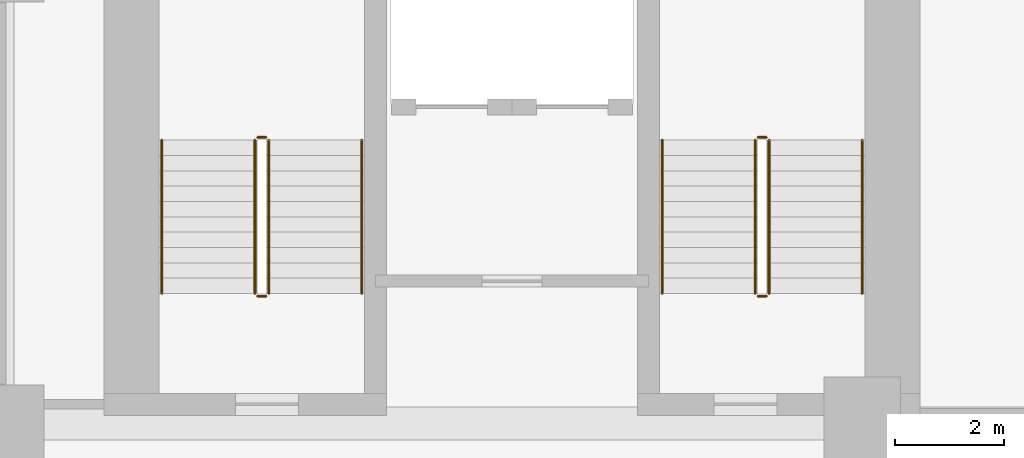
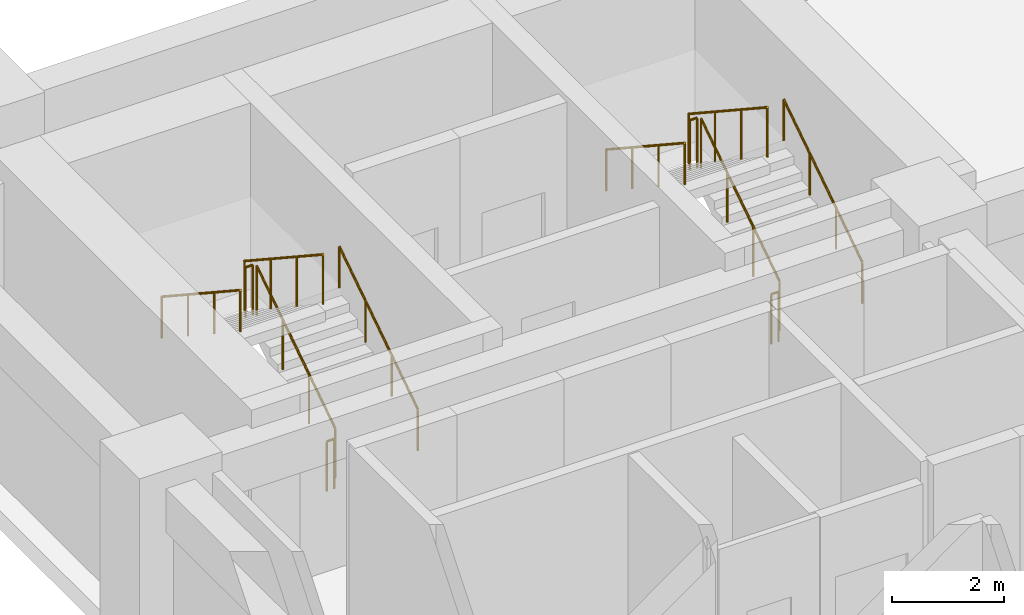
# One storey, part 9 of 11: 12 railings.
"""IFC4 building model written with IfcOpenShell, lengths in metres."""

from ifc_helpers import new_model, si_unit, direction, frame, origin, origin_2d, place, context, subcontext, project, spatial, circle, extrude, material, type_object, element, save


model = new_model("IFC4")

# Units and contexts
model_context = context("Model", 3, precision=1e-05, world=origin(), true_north=direction((0.0, 1.0)))
body_context = subcontext(model_context, "Body", "Model", "MODEL_VIEW")
ifc_project = project(units=[si_unit("LENGTHUNIT", "METRE"), si_unit("AREAUNIT", "SQUARE_METRE"), si_unit("VOLUMEUNIT", "CUBIC_METRE"), si_unit("PLANEANGLEUNIT", "RADIAN"), si_unit("MASSUNIT", "GRAM", prefix="KILO")], contexts=[model_context])

# Site, building, storey
site_placement = place(None, origin())
site = spatial("IfcSite", under=ifc_project, at=site_placement, CompositionType="ELEMENT")
building_placement = place(site_placement, origin())
building = spatial("IfcBuilding", under=site, at=building_placement, Name="Sulina Concourse Tower", CompositionType="ELEMENT")
storey_placement = place(building_placement, frame((0.0, 0.0, 9.449951171875)))
storey = spatial("IfcBuildingStorey", under=building, at=storey_placement, Name="L02", CompositionType="ELEMENT", Elevation=9.449951171875)

# Railings
ifc_material_1 = material(Name="Galvanised steel railing", Category="steel")
railing_type_1 = type_object("IfcRailingType", Name="Core Stair Steel Guardrail 1150mm", PredefinedType="GUARDRAIL", material=ifc_material_1)
railing_1_placement = place(storey_placement, frame((5.554931640625, 36.375, 0.18408203125)))
element("IfcRailing", 1, at=railing_1_placement, inside=storey, type_object=railing_type_1, Name="L02 ST-1 stair guard 1", PredefinedType="GUARDRAIL", context=body_context, shape_type="SweptSolid", body=[
    extrude(circle(Radius=0.02392578125, at=origin_2d()), frame((0.0, 0.0, 1.076171875), z_axis=(0.0, 0.83556406348, 0.549393024911), x_axis=(-1.0, 0.0, 0.0)), (0.0, 0.0, 1.0), 3.35107421875),
    extrude(circle(Radius=0.02099609375, at=origin_2d()), origin(), (0.0, 0.0, 1.0), 1.052001953125),
    extrude(circle(Radius=0.02099609375, at=origin_2d()), frame((0.0, 0.933349609375, 0.61376953125)), (0.0, 0.0, 1.0), 1.052001953125),
    extrude(circle(Radius=0.02099609375, at=origin_2d()), frame((0.0, 1.86669921875, 1.227294921875)), (0.0, 0.0, 1.0), 1.052001953125),
    extrude(circle(Radius=0.02099609375, at=origin_2d()), frame((0.0, 2.800048828125, 1.841064453125)), (0.0, 0.0, 1.0), 1.052001953125),
])
railing_2_placement = place(storey_placement, frame((5.5048828125, 39.22509765625, 2.025146484375)))
element("IfcRailing", 2, at=railing_2_placement, inside=storey, type_object=railing_type_1, Name="L02 ST-1 stair guard 2", PredefinedType="GUARDRAIL", context=body_context, shape_type="SweptSolid", body=[
    extrude(circle(Radius=0.02392578125, at=origin_2d()), frame((0.0, 0.0, 1.076171875), z_axis=(-1.0, 0.0, 0.0), x_axis=(0.0, -1.0, 0.0)), (0.0, 0.0, 1.0), 0.14990234375),
    extrude(circle(Radius=0.02099609375, at=origin_2d()), origin(), (0.0, 0.0, 1.0), 1.052001953125),
    extrude(circle(Radius=0.02099609375, at=origin_2d()), frame((-0.14990234375, 0.0, 0.0)), (0.0, 0.0, 1.0), 1.052001953125),
])
railing_3_placement = place(storey_placement, frame((5.304931640625, 39.175048828125, 2.209228515625)))
element("IfcRailing", 3, at=railing_3_placement, inside=storey, type_object=railing_type_1, Name="L02 ST-1 stair guard 3", PredefinedType="GUARDRAIL", context=body_context, shape_type="SweptSolid", body=[
    extrude(circle(Radius=0.02392578125, at=origin_2d()), frame((0.0, 0.0, 1.076171875), z_axis=(0.0, -0.835597507184, 0.549342157483), x_axis=(1.0, 0.0, 0.0)), (0.0, 0.0, 1.0), 3.35107421875),
    extrude(circle(Radius=0.02099609375, at=origin_2d()), origin(), (0.0, 0.0, 1.0), 1.052001953125),
    extrude(circle(Radius=0.02099609375, at=origin_2d()), frame((0.0, -0.933349609375, 0.613525390625)), (0.0, 0.0, 1.0), 1.052001953125),
    extrude(circle(Radius=0.02099609375, at=origin_2d()), frame((0.0, -1.86669921875, 1.227294921875)), (0.0, 0.0, 1.0), 1.052001953125),
    extrude(circle(Radius=0.02099609375, at=origin_2d()), frame((0.0, -2.800048828125, 1.8408203125)), (0.0, 0.0, 1.0), 1.052001953125),
])
railing_4_placement = place(storey_placement, frame((5.5048828125, 36.324951171875, 0.0)))
element("IfcRailing", 4, at=railing_4_placement, inside=storey, type_object=railing_type_1, Name="L02 ST-1 stair guard 4", PredefinedType="GUARDRAIL", context=body_context, shape_type="SweptSolid", body=[
    extrude(circle(Radius=0.02392578125, at=origin_2d()), frame((0.0, 0.0, 1.076171875), z_axis=(-1.0, 0.0, 0.0), x_axis=(0.0, -1.0, 0.0)), (0.0, 0.0, 1.0), 0.14990234375),
    extrude(circle(Radius=0.02099609375, at=origin_2d()), origin(), (0.0, 0.0, 1.0), 1.052001953125),
    extrude(circle(Radius=0.02099609375, at=origin_2d()), frame((-0.14990234375, 0.0, 0.0)), (0.0, 0.0, 1.0), 1.052001953125),
])
railing_5_placement = place(storey_placement, frame((14.695068359375, 36.375, 0.18408203125)))
element("IfcRailing", 5, at=railing_5_placement, inside=storey, type_object=railing_type_1, Name="L02 ST-2 stair guard 1", PredefinedType="GUARDRAIL", context=body_context, shape_type="SweptSolid", body=[
    extrude(circle(Radius=0.02392578125, at=origin_2d()), frame((0.0, 0.0, 1.076171875), z_axis=(0.0, 0.83556406348, 0.549393024911), x_axis=(-1.0, 0.0, 0.0)), (0.0, 0.0, 1.0), 3.35107421875),
    extrude(circle(Radius=0.02099609375, at=origin_2d()), origin(), (0.0, 0.0, 1.0), 1.052001953125),
    extrude(circle(Radius=0.02099609375, at=origin_2d()), frame((0.0, 0.933349609375, 0.61376953125)), (0.0, 0.0, 1.0), 1.052001953125),
    extrude(circle(Radius=0.02099609375, at=origin_2d()), frame((0.0, 1.86669921875, 1.227294921875)), (0.0, 0.0, 1.0), 1.052001953125),
    extrude(circle(Radius=0.02099609375, at=origin_2d()), frame((0.0, 2.800048828125, 1.841064453125)), (0.0, 0.0, 1.0), 1.052001953125),
])
railing_6_placement = place(storey_placement, frame((14.64501953125, 39.22509765625, 2.025146484375)))
element("IfcRailing", 6, at=railing_6_placement, inside=storey, type_object=railing_type_1, Name="L02 ST-2 stair guard 2", PredefinedType="GUARDRAIL", context=body_context, shape_type="SweptSolid", body=[
    extrude(circle(Radius=0.02392578125, at=origin_2d()), frame((0.0, 0.0, 1.076171875), z_axis=(-1.0, 0.0, 0.0), x_axis=(0.0, -1.0, 0.0)), (0.0, 0.0, 1.0), 0.14990234375),
    extrude(circle(Radius=0.02099609375, at=origin_2d()), origin(), (0.0, 0.0, 1.0), 1.052001953125),
    extrude(circle(Radius=0.02099609375, at=origin_2d()), frame((-0.14990234375, 0.0, 0.0)), (0.0, 0.0, 1.0), 1.052001953125),
])
railing_7_placement = place(storey_placement, frame((14.445068359375, 39.175048828125, 2.209228515625)))
element("IfcRailing", 7, at=railing_7_placement, inside=storey, type_object=railing_type_1, Name="L02 ST-2 stair guard 3", PredefinedType="GUARDRAIL", context=body_context, shape_type="SweptSolid", body=[
    extrude(circle(Radius=0.02392578125, at=origin_2d()), frame((0.0, 0.0, 1.076171875), z_axis=(0.0, -0.835597507184, 0.549342157483), x_axis=(1.0, 0.0, 0.0)), (0.0, 0.0, 1.0), 3.35107421875),
    extrude(circle(Radius=0.02099609375, at=origin_2d()), origin(), (0.0, 0.0, 1.0), 1.052001953125),
    extrude(circle(Radius=0.02099609375, at=origin_2d()), frame((0.0, -0.933349609375, 0.613525390625)), (0.0, 0.0, 1.0), 1.052001953125),
    extrude(circle(Radius=0.02099609375, at=origin_2d()), frame((0.0, -1.86669921875, 1.227294921875)), (0.0, 0.0, 1.0), 1.052001953125),
    extrude(circle(Radius=0.02099609375, at=origin_2d()), frame((0.0, -2.800048828125, 1.8408203125)), (0.0, 0.0, 1.0), 1.052001953125),
])
railing_8_placement = place(storey_placement, frame((14.64501953125, 36.324951171875, 0.0)))
element("IfcRailing", 8, at=railing_8_placement, inside=storey, type_object=railing_type_1, Name="L02 ST-2 stair guard 4", PredefinedType="GUARDRAIL", context=body_context, shape_type="SweptSolid", body=[
    extrude(circle(Radius=0.02392578125, at=origin_2d()), frame((0.0, 0.0, 1.076171875), z_axis=(-1.0, 0.0, 0.0), x_axis=(0.0, -1.0, 0.0)), (0.0, 0.0, 1.0), 0.14990234375),
    extrude(circle(Radius=0.02099609375, at=origin_2d()), origin(), (0.0, 0.0, 1.0), 1.052001953125),
    extrude(circle(Radius=0.02099609375, at=origin_2d()), frame((-0.14990234375, 0.0, 0.0)), (0.0, 0.0, 1.0), 1.052001953125),
])
ifc_material_2 = material(Name="Galvanised steel railing", Category="steel")
railing_type_2 = type_object("IfcRailingType", Name="Stair Wall Steel Handrail 920mm", PredefinedType="HANDRAIL", material=ifc_material_2)
railing_9_placement = place(storey_placement, frame((7.2548828125, 36.375, 0.18408203125)))
element("IfcRailing", 9, at=railing_9_placement, inside=storey, type_object=railing_type_2, Name="L02 ST-1 stair handrail 1", PredefinedType="HANDRAIL", context=body_context, shape_type="SweptSolid", body=[
    extrude(circle(Radius=0.02392578125, at=origin_2d()), frame((0.0, 0.0, 0.89599609375), z_axis=(0.0, 0.83556406348, 0.549393024911), x_axis=(-1.0, 0.0, 0.0)), (0.0, 0.0, 1.0), 3.35107421875),
    extrude(circle(Radius=0.02099609375, at=origin_2d()), origin(), (0.0, 0.0, 1.0), 0.871826171875),
    extrude(circle(Radius=0.02099609375, at=origin_2d()), frame((0.0, 0.933349609375, 0.61376953125)), (0.0, 0.0, 1.0), 0.871826171875),
    extrude(circle(Radius=0.02099609375, at=origin_2d()), frame((0.0, 1.86669921875, 1.227294921875)), (0.0, 0.0, 1.0), 0.871826171875),
    extrude(circle(Radius=0.02099609375, at=origin_2d()), frame((0.0, 2.800048828125, 1.841064453125)), (0.0, 0.0, 1.0), 0.871826171875),
])
railing_10_placement = place(storey_placement, frame((3.60498046875, 39.175048828125, 2.209228515625)))
element("IfcRailing", 10, at=railing_10_placement, inside=storey, type_object=railing_type_2, Name="L02 ST-1 stair handrail 2", PredefinedType="HANDRAIL", context=body_context, shape_type="SweptSolid", body=[
    extrude(circle(Radius=0.02392578125, at=origin_2d()), frame((0.0, 0.0, 0.89599609375), z_axis=(0.0, -0.835597507184, 0.549342157483), x_axis=(1.0, 0.0, 0.0)), (0.0, 0.0, 1.0), 3.35107421875),
    extrude(circle(Radius=0.02099609375, at=origin_2d()), origin(), (0.0, 0.0, 1.0), 0.871826171875),
    extrude(circle(Radius=0.02099609375, at=origin_2d()), frame((0.0, -0.933349609375, 0.613525390625)), (0.0, 0.0, 1.0), 0.871826171875),
    extrude(circle(Radius=0.02099609375, at=origin_2d()), frame((0.0, -1.86669921875, 1.227294921875)), (0.0, 0.0, 1.0), 0.871826171875),
    extrude(circle(Radius=0.02099609375, at=origin_2d()), frame((0.0, -2.800048828125, 1.8408203125)), (0.0, 0.0, 1.0), 0.871826171875),
])
railing_11_placement = place(storey_placement, frame((16.39501953125, 36.375, 0.18408203125)))
element("IfcRailing", 11, at=railing_11_placement, inside=storey, type_object=railing_type_2, Name="L02 ST-2 stair handrail 1", PredefinedType="HANDRAIL", context=body_context, shape_type="SweptSolid", body=[
    extrude(circle(Radius=0.02392578125, at=origin_2d()), frame((0.0, 0.0, 0.89599609375), z_axis=(0.0, 0.83556406348, 0.549393024911), x_axis=(-1.0, 0.0, 0.0)), (0.0, 0.0, 1.0), 3.35107421875),
    extrude(circle(Radius=0.02099609375, at=origin_2d()), origin(), (0.0, 0.0, 1.0), 0.871826171875),
    extrude(circle(Radius=0.02099609375, at=origin_2d()), frame((0.0, 0.933349609375, 0.61376953125)), (0.0, 0.0, 1.0), 0.871826171875),
    extrude(circle(Radius=0.02099609375, at=origin_2d()), frame((0.0, 1.86669921875, 1.227294921875)), (0.0, 0.0, 1.0), 0.871826171875),
    extrude(circle(Radius=0.02099609375, at=origin_2d()), frame((0.0, 2.800048828125, 1.841064453125)), (0.0, 0.0, 1.0), 0.871826171875),
])
railing_12_placement = place(storey_placement, frame((12.7451171875, 39.175048828125, 2.209228515625)))
element("IfcRailing", 12, at=railing_12_placement, inside=storey, type_object=railing_type_2, Name="L02 ST-2 stair handrail 2", PredefinedType="HANDRAIL", context=body_context, shape_type="SweptSolid", body=[
    extrude(circle(Radius=0.02392578125, at=origin_2d()), frame((0.0, 0.0, 0.89599609375), z_axis=(0.0, -0.835597507184, 0.549342157483), x_axis=(1.0, 0.0, 0.0)), (0.0, 0.0, 1.0), 3.35107421875),
    extrude(circle(Radius=0.02099609375, at=origin_2d()), origin(), (0.0, 0.0, 1.0), 0.871826171875),
    extrude(circle(Radius=0.02099609375, at=origin_2d()), frame((0.0, -0.933349609375, 0.613525390625)), (0.0, 0.0, 1.0), 0.871826171875),
    extrude(circle(Radius=0.02099609375, at=origin_2d()), frame((0.0, -1.86669921875, 1.227294921875)), (0.0, 0.0, 1.0), 0.871826171875),
    extrude(circle(Radius=0.02099609375, at=origin_2d()), frame((0.0, -2.800048828125, 1.8408203125)), (0.0, 0.0, 1.0), 0.871826171875),
])

save(model, "model.ifc")
